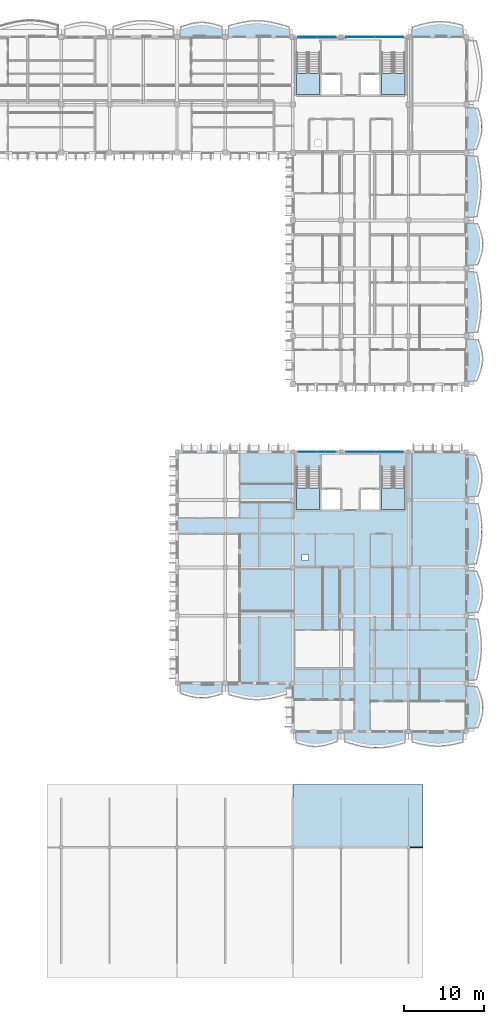
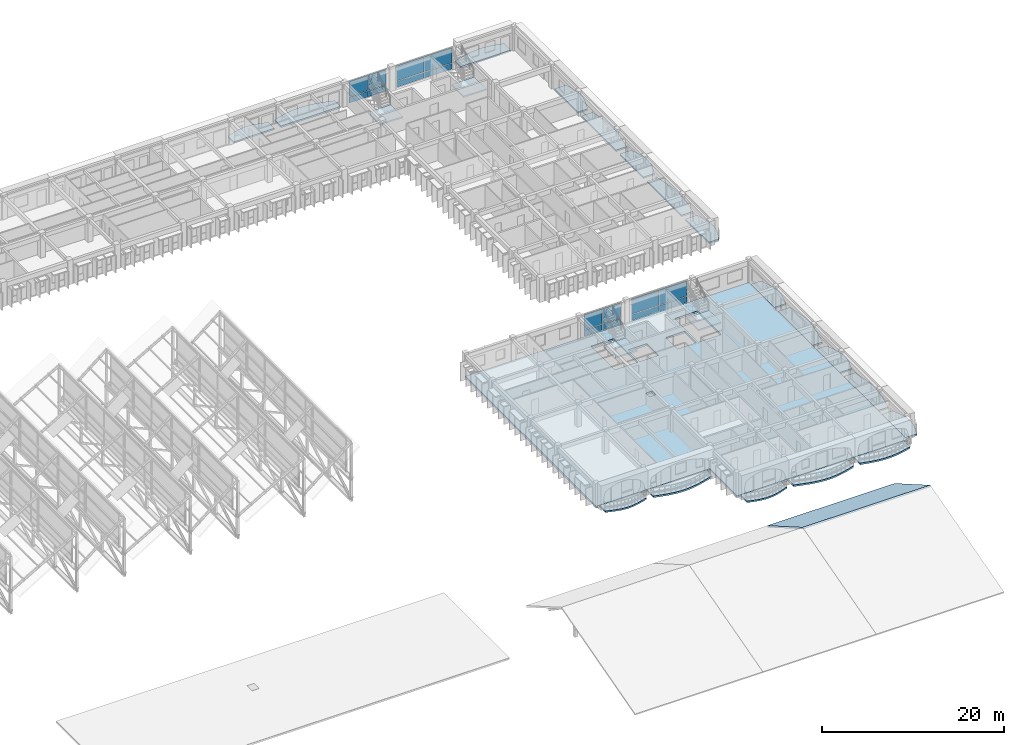
# One storey, part 35 of 101: 24 slabs, 16 plates, 8 elements without a shape of their own.
"""IFC4 building model written with IfcOpenShell, lengths in metres."""

from ifc_helpers import new_model, si_unit, direction, frame, origin, origin_2d, place, context, subcontext, project, spatial, polyline, rectangle, outline, extrude, material, layer, layer_set, type_object, element, aggregate, save


model = new_model("IFC4")

# Units and contexts
model_context = context("Model", 3, precision=1e-05, world=origin(), true_north=direction((0.0, 1.0)))
body_context = subcontext(model_context, "Body", "Model", "MODEL_VIEW")
ifc_project = project(units=[si_unit("LENGTHUNIT", "METRE"), si_unit("AREAUNIT", "SQUARE_METRE"), si_unit("VOLUMEUNIT", "CUBIC_METRE"), si_unit("PLANEANGLEUNIT", "RADIAN"), si_unit("MASSUNIT", "GRAM", prefix="KILO"), si_unit("THERMODYNAMICTEMPERATUREUNIT", "KELVIN")], contexts=[model_context])

# Site, building, storey
site_placement = place(None, origin())
site = spatial("IfcSite", under=ifc_project, at=site_placement, CompositionType="ELEMENT")
building_placement = place(site_placement, origin())
building = spatial("IfcBuilding", under=site, at=building_placement, Name="Thalorik Housing Commons", CompositionType="ELEMENT")
storey_placement = place(building_placement, frame((0.0, 0.0, 8.10009765625)))
storey = spatial("IfcBuildingStorey", under=building, at=storey_placement, Name="L02", CompositionType="ELEMENT", Elevation=8.10009765625)

# Curtain wall, plates
ifc_material_1 = material(Name="Anodised aluminium and solar-control low-E glass", Category="aluminium")
curtain_wall_type = type_object("IfcCurtainWallType", Name="ARC-CW-CORE", PredefinedType="USERDEFINED", material=ifc_material_1)
curtain_wall_1_placement = place(storey_placement, origin())
curtain_wall_1 = element("IfcCurtainWall", 1, at=curtain_wall_1_placement, inside=storey, type_object=curtain_wall_type, Name="L02 Curtain Wall CW-CORE-L02-B-079", ObjectType="CURTAIN WALL", PredefinedType="USERDEFINED")
ifc_material_2 = material(Name="Cobalt blue enamelled aluminium spandrel panel", Category="aluminium")
ifc_layer_1 = layer(ifc_material_2, 0.0458984375, Name="Cobalt blue enamelled aluminium spandrel panel", Category="aluminium")
ifc_layer_set_1 = layer_set([ifc_layer_1], Name="Cobalt blue enamelled aluminium spandrel panel")
plate_type_1 = type_object("IfcPlateType", Name="ARC-CP-BLU-46", PredefinedType="CURTAIN_PANEL", material=ifc_layer_set_1)
plate_1_placement = place(storey_placement, frame((164.375, 123.60009765625, 0.080078125), z_axis=(0.0, 0.0, 1.0), x_axis=(-1.0, 0.0, 0.0)))
plate_1 = element("IfcPlate", 2, at=plate_1_placement, type_object=plate_type_1, Name="CW-CORE-L02-B-079 Spandrel Panel 1", PredefinedType="CURTAIN_PANEL", context=body_context, shape_type="SweptSolid", body=[
    extrude(rectangle(XDim=3.489990234375, YDim=0.0458984375, at=origin_2d()), origin(), (0.0, 0.0, 1.0), 0.760009765625),
])
plate_2_placement = place(storey_placement, frame((160.824951171875, 123.60009765625, 0.080078125), z_axis=(0.0, 0.0, 1.0), x_axis=(-1.0, 0.0, 0.0)))
plate_2 = element("IfcPlate", 3, at=plate_2_placement, type_object=plate_type_1, Name="CW-CORE-L02-B-079 Spandrel Panel 2", PredefinedType="CURTAIN_PANEL", context=body_context, shape_type="SweptSolid", body=[
    extrude(rectangle(XDim=3.489990234375, YDim=0.0458984375, at=origin_2d()), origin(), (0.0, 0.0, 1.0), 0.760009765625),
])
ifc_material_3 = material(Name="Double solar-control low-E glass", Category="glass")
ifc_layer_2 = layer(ifc_material_3, 0.028076171875, Name="Double solar-control low-E glass", Category="glass")
ifc_layer_set_2 = layer_set([ifc_layer_2], Name="Double solar-control low-E glass")
plate_type_2 = type_object("IfcPlateType", Name="ARC-CP-GLZ-28", PredefinedType="CURTAIN_PANEL", material=ifc_layer_set_2)
plate_3_placement = place(storey_placement, frame((164.375, 123.60009765625, 0.919921875), z_axis=(0.0, 0.0, 1.0), x_axis=(-1.0, 0.0, 0.0)))
plate_3 = element("IfcPlate", 4, at=plate_3_placement, type_object=plate_type_2, Name="CW-CORE-L02-B-079 Vision Panel 1", PredefinedType="CURTAIN_PANEL", context=body_context, shape_type="SweptSolid", body=[
    extrude(rectangle(XDim=3.489990234375, YDim=0.028076171875, at=origin_2d()), origin(), (0.0, 0.0, 1.0), 2.0400390625),
])
plate_4_placement = place(storey_placement, frame((160.824951171875, 123.60009765625, 0.919921875), z_axis=(0.0, 0.0, 1.0), x_axis=(-1.0, 0.0, 0.0)))
plate_4 = element("IfcPlate", 5, at=plate_4_placement, type_object=plate_type_2, Name="CW-CORE-L02-B-079 Vision Panel 2", PredefinedType="CURTAIN_PANEL", context=body_context, shape_type="SweptSolid", body=[
    extrude(rectangle(XDim=3.489990234375, YDim=0.028076171875, at=origin_2d()), origin(), (0.0, 0.0, 1.0), 2.0400390625),
])
aggregate(curtain_wall_1, [plate_1, plate_3, plate_2, plate_4])

curtain_wall_2_placement = place(storey_placement, origin())
curtain_wall_2 = element("IfcCurtainWall", 6, at=curtain_wall_2_placement, inside=storey, type_object=curtain_wall_type, Name="L02 Curtain Wall CW-CORE-L02-B-080", ObjectType="CURTAIN WALL", PredefinedType="USERDEFINED")
plate_5_placement = place(storey_placement, frame((156.574951171875, 123.60009765625, 0.919921875), z_axis=(0.0, 0.0, 1.0), x_axis=(-1.0, 0.0, 0.0)))
plate_5 = element("IfcPlate", 7, at=plate_5_placement, type_object=plate_type_2, Name="CW-CORE-L02-B-080 Vision Panel 1", PredefinedType="CURTAIN_PANEL", context=body_context, shape_type="SweptSolid", body=[
    extrude(rectangle(XDim=2.2900390625, YDim=0.028076171875, at=origin_2d()), origin(), (0.0, 0.0, 1.0), 2.0400390625),
])
plate_6_placement = place(storey_placement, frame((154.22509765625, 123.60009765625, 0.919921875), z_axis=(0.0, 0.0, 1.0), x_axis=(-1.0, 0.0, 0.0)))
plate_6 = element("IfcPlate", 8, at=plate_6_placement, type_object=plate_type_2, Name="CW-CORE-L02-B-080 Vision Panel 2", PredefinedType="CURTAIN_PANEL", context=body_context, shape_type="SweptSolid", body=[
    extrude(rectangle(XDim=2.2900390625, YDim=0.028076171875, at=origin_2d()), origin(), (0.0, 0.0, 1.0), 2.0400390625),
])

curtain_wall_3_placement = place(storey_placement, origin())
curtain_wall_3 = element("IfcCurtainWall", 9, at=curtain_wall_3_placement, inside=storey, type_object=curtain_wall_type, Name="L02 Curtain Wall CW-CORE-L02-D-180", ObjectType="CURTAIN WALL", PredefinedType="USERDEFINED")
plate_7_placement = place(storey_placement, frame((164.375, 72.0, 0.919921875), z_axis=(0.0, 0.0, 1.0), x_axis=(-1.0, 0.0, 0.0)))
plate_7 = element("IfcPlate", 10, at=plate_7_placement, type_object=plate_type_2, Name="CW-CORE-L02-D-180 Vision Panel 1", PredefinedType="CURTAIN_PANEL", context=body_context, shape_type="SweptSolid", body=[
    extrude(rectangle(XDim=3.489990234375, YDim=0.028076171875, at=origin_2d()), origin(), (0.0, 0.0, 1.0), 2.0400390625),
])
plate_8_placement = place(storey_placement, frame((160.824951171875, 72.0, 0.919921875), z_axis=(0.0, 0.0, 1.0), x_axis=(-1.0, 0.0, 0.0)))
plate_8 = element("IfcPlate", 11, at=plate_8_placement, type_object=plate_type_2, Name="CW-CORE-L02-D-180 Vision Panel 2", PredefinedType="CURTAIN_PANEL", context=body_context, shape_type="SweptSolid", body=[
    extrude(rectangle(XDim=3.489990234375, YDim=0.028076171875, at=origin_2d()), origin(), (0.0, 0.0, 1.0), 2.0400390625),
])

curtain_wall_4_placement = place(storey_placement, origin())
curtain_wall_4 = element("IfcCurtainWall", 12, at=curtain_wall_4_placement, inside=storey, type_object=curtain_wall_type, Name="L02 Curtain Wall CW-CORE-L02-D-181", ObjectType="CURTAIN WALL", PredefinedType="USERDEFINED")
plate_9_placement = place(storey_placement, frame((156.574951171875, 72.0, 0.919921875), z_axis=(0.0, 0.0, 1.0), x_axis=(-1.0, 0.0, 0.0)))
plate_9 = element("IfcPlate", 13, at=plate_9_placement, type_object=plate_type_2, Name="CW-CORE-L02-D-181 Vision Panel 1", PredefinedType="CURTAIN_PANEL", context=body_context, shape_type="SweptSolid", body=[
    extrude(rectangle(XDim=2.2900390625, YDim=0.028076171875, at=origin_2d()), origin(), (0.0, 0.0, 1.0), 2.0400390625),
])
plate_10_placement = place(storey_placement, frame((154.22509765625, 72.0, 0.919921875), z_axis=(0.0, 0.0, 1.0), x_axis=(-1.0, 0.0, 0.0)))
plate_10 = element("IfcPlate", 14, at=plate_10_placement, type_object=plate_type_2, Name="CW-CORE-L02-D-181 Vision Panel 2", PredefinedType="CURTAIN_PANEL", context=body_context, shape_type="SweptSolid", body=[
    extrude(rectangle(XDim=2.2900390625, YDim=0.028076171875, at=origin_2d()), origin(), (0.0, 0.0, 1.0), 2.0400390625),
])
ifc_material_4 = material(Name="Oxide red enamelled aluminium spandrel panel", Category="aluminium")
ifc_layer_3 = layer(ifc_material_4, 0.0419921875, Name="Oxide red enamelled aluminium spandrel panel", Category="aluminium")
ifc_layer_set_3 = layer_set([ifc_layer_3], Name="Oxide red enamelled aluminium spandrel panel")
plate_type_3 = type_object("IfcPlateType", Name="ARC-CP-RED-42", PredefinedType="CURTAIN_PANEL", material=ifc_layer_set_3)
plate_11_placement = place(storey_placement, frame((156.574951171875, 72.0, 0.080078125), z_axis=(0.0, 0.0, 1.0), x_axis=(-1.0, 0.0, 0.0)))
plate_11 = element("IfcPlate", 15, at=plate_11_placement, type_object=plate_type_3, Name="CW-CORE-L02-D-181 Spandrel Panel 1", PredefinedType="CURTAIN_PANEL", context=body_context, shape_type="SweptSolid", body=[
    extrude(rectangle(XDim=2.2900390625, YDim=0.0419921875, at=origin_2d()), origin(), (0.0, 0.0, 1.0), 0.760009765625),
])
plate_12_placement = place(storey_placement, frame((154.22509765625, 72.0, 0.080078125), z_axis=(0.0, 0.0, 1.0), x_axis=(-1.0, 0.0, 0.0)))
plate_12 = element("IfcPlate", 16, at=plate_12_placement, type_object=plate_type_3, Name="CW-CORE-L02-D-181 Spandrel Panel 2", PredefinedType="CURTAIN_PANEL", context=body_context, shape_type="SweptSolid", body=[
    extrude(rectangle(XDim=2.2900390625, YDim=0.0419921875, at=origin_2d()), origin(), (0.0, 0.0, 1.0), 0.760009765625),
])
aggregate(curtain_wall_4, [plate_11, plate_9, plate_12, plate_10])

# Plate
ifc_material_5 = material(Name="Mineral ochre yellow aluminium spandrel panel", Category="aluminium")
ifc_layer_4 = layer(ifc_material_5, 0.050048828125, Name="Mineral ochre yellow aluminium spandrel panel", Category="aluminium")
ifc_layer_set_4 = layer_set([ifc_layer_4], Name="Mineral ochre yellow aluminium spandrel panel")
plate_type_4 = type_object("IfcPlateType", Name="ARC-CP-YEL-50", PredefinedType="CURTAIN_PANEL", material=ifc_layer_set_4)
plate_13_placement = place(storey_placement, frame((156.574951171875, 123.60009765625, 0.080078125), z_axis=(0.0, 0.0, 1.0), x_axis=(-1.0, 0.0, 0.0)))
plate_13 = element("IfcPlate", 17, at=plate_13_placement, type_object=plate_type_4, Name="CW-CORE-L02-B-080 Spandrel Panel 1", PredefinedType="CURTAIN_PANEL", context=body_context, shape_type="SweptSolid", body=[
    extrude(rectangle(XDim=2.2900390625, YDim=0.050048828125, at=origin_2d()), origin(), (0.0, 0.0, 1.0), 0.760009765625),
])

plate_14_placement = place(storey_placement, frame((154.22509765625, 123.60009765625, 0.080078125), z_axis=(0.0, 0.0, 1.0), x_axis=(-1.0, 0.0, 0.0)))
plate_14 = element("IfcPlate", 18, at=plate_14_placement, type_object=plate_type_4, Name="CW-CORE-L02-B-080 Spandrel Panel 2", PredefinedType="CURTAIN_PANEL", context=body_context, shape_type="SweptSolid", body=[
    extrude(rectangle(XDim=2.2900390625, YDim=0.050048828125, at=origin_2d()), origin(), (0.0, 0.0, 1.0), 0.760009765625),
])

aggregate(curtain_wall_2, [plate_13, plate_5, plate_14, plate_6])

plate_15_placement = place(storey_placement, frame((164.375, 72.0, 0.080078125), z_axis=(0.0, 0.0, 1.0), x_axis=(-1.0, 0.0, 0.0)))
plate_15 = element("IfcPlate", 19, at=plate_15_placement, type_object=plate_type_4, Name="CW-CORE-L02-D-180 Spandrel Panel 1", PredefinedType="CURTAIN_PANEL", context=body_context, shape_type="SweptSolid", body=[
    extrude(rectangle(XDim=3.489990234375, YDim=0.050048828125, at=origin_2d()), origin(), (0.0, 0.0, 1.0), 0.760009765625),
])

plate_16_placement = place(storey_placement, frame((160.824951171875, 72.0, 0.080078125), z_axis=(0.0, 0.0, 1.0), x_axis=(-1.0, 0.0, 0.0)))
plate_16 = element("IfcPlate", 20, at=plate_16_placement, type_object=plate_type_4, Name="CW-CORE-L02-D-180 Spandrel Panel 2", PredefinedType="CURTAIN_PANEL", context=body_context, shape_type="SweptSolid", body=[
    extrude(rectangle(XDim=3.489990234375, YDim=0.050048828125, at=origin_2d()), origin(), (0.0, 0.0, 1.0), 0.760009765625),
])

aggregate(curtain_wall_3, [plate_15, plate_7, plate_16, plate_8])

# Stair, slab
ifc_material_6 = material(Name="Precast concrete C40/50", Category="concrete")
stair_type = type_object("IfcStairType", Name="ARC-STR-1350-R20", PredefinedType="HALF_TURN_STAIR", material=ifc_material_6)
stair_1_placement = place(storey_placement, origin())
stair_1 = element("IfcStair", 21, at=stair_1_placement, inside=storey, type_object=stair_type, Name="L02 Block B Smoke-Proof Stair 1", PredefinedType="HALF_TURN_STAIR")
ifc_layer_5 = layer(ifc_material_6, 0.199951171875, Name="Precast concrete C40/50", Category="concrete")
ifc_layer_set_5 = layer_set([ifc_layer_5], Name="Precast concrete C40/50")
slab_type_1 = type_object("IfcSlabType", Name="ARC-SLB-STLND-200", PredefinedType="LANDING", material=ifc_layer_set_5)
slab_1_placement = place(storey_placement, frame((0.0, 0.0, 1.449951171875)))
slab_1 = element("IfcSlab", 22, at=slab_1_placement, type_object=slab_type_1, Name="ST-B1 landing 1", PredefinedType="LANDING", context=body_context, shape_type="SweptSolid", body=[
    extrude(outline(polyline([(152.85009765625, 119.090087890625), (152.85009765625, 116.449951171875), (155.75, 116.449951171875), (155.75, 119.090087890625), (152.85009765625, 119.090087890625)])), origin(), (0.0, 0.0, 1.0), 0.199951171875),
])
aggregate(stair_1, [slab_1])

stair_2_placement = place(storey_placement, origin())
stair_2 = element("IfcStair", 23, at=stair_2_placement, inside=storey, type_object=stair_type, Name="L02 Block B Smoke-Proof Stair 2", PredefinedType="HALF_TURN_STAIR")
slab_2_placement = place(storey_placement, frame((0.0, 0.0, 1.449951171875)))
slab_2 = element("IfcSlab", 24, at=slab_2_placement, type_object=slab_type_1, Name="ST-B2 landing 1", PredefinedType="LANDING", context=body_context, shape_type="SweptSolid", body=[
    extrude(outline(polyline([(163.449951171875, 119.090087890625), (163.449951171875, 116.449951171875), (166.35009765625, 116.449951171875), (166.35009765625, 119.090087890625), (163.449951171875, 119.090087890625)])), origin(), (0.0, 0.0, 1.0), 0.199951171875),
])
aggregate(stair_2, [slab_2])

stair_3_placement = place(storey_placement, origin())
stair_3 = element("IfcStair", 25, at=stair_3_placement, inside=storey, type_object=stair_type, Name="L02 Block D Smoke-Proof Stair 1", PredefinedType="HALF_TURN_STAIR")
slab_3_placement = place(storey_placement, frame((0.0, 0.0, 1.449951171875)))
slab_3 = element("IfcSlab", 26, at=slab_3_placement, type_object=slab_type_1, Name="ST-D1 landing 1", PredefinedType="LANDING", context=body_context, shape_type="SweptSolid", body=[
    extrude(outline(polyline([(152.85009765625, 67.489990234375), (152.85009765625, 64.85009765625), (155.75, 64.85009765625), (155.75, 67.489990234375), (152.85009765625, 67.489990234375)])), origin(), (0.0, 0.0, 1.0), 0.199951171875),
])
aggregate(stair_3, [slab_3])

stair_4_placement = place(storey_placement, origin())
stair_4 = element("IfcStair", 27, at=stair_4_placement, inside=storey, type_object=stair_type, Name="L02 Block D Smoke-Proof Stair 2", PredefinedType="HALF_TURN_STAIR")
slab_4_placement = place(storey_placement, frame((0.0, 0.0, 1.449951171875)))
slab_4 = element("IfcSlab", 28, at=slab_4_placement, type_object=slab_type_1, Name="ST-D2 landing 1", PredefinedType="LANDING", context=body_context, shape_type="SweptSolid", body=[
    extrude(outline(polyline([(163.449951171875, 67.489990234375), (163.449951171875, 64.85009765625), (166.35009765625, 64.85009765625), (166.35009765625, 67.489990234375), (163.449951171875, 67.489990234375)])), origin(), (0.0, 0.0, 1.0), 0.199951171875),
])
aggregate(stair_4, [slab_4])

# Slabs
ifc_layer_6 = layer(ifc_material_6, 0.199951171875, Name="Precast concrete C40/50", Category="concrete")
ifc_layer_set_6 = layer_set([ifc_layer_6], Name="Precast concrete C40/50")
slab_type_2 = type_object("IfcSlabType", Name="STR-SLB-BALC-200", PredefinedType="FLOOR", material=ifc_layer_set_6)
slab_5_placement = place(storey_placement, frame((0.0, 0.0, -0.2001953125)))
element("IfcSlab", 29, at=slab_5_placement, inside=storey, type_object=slab_type_2, Name="L02 Block B Cushion Balcony 109", PredefinedType="FLOOR", context=body_context, shape_type="SweptSolid", body=[
    extrude(outline(polyline([(138.419921875, 123.60009765625), (143.580078125, 123.60009765625), (143.580078125, 124.947265625), (143.14990234375, 125.084228515625), (142.719970703125, 125.2119140625), (142.2900390625, 125.321044921875), (141.860107421875, 125.4033203125), (141.429931640625, 125.452880859375), (141.0, 125.466064453125), (140.570068359375, 125.44140625), (140.139892578125, 125.380859375), (139.7099609375, 125.2880859375), (139.280029296875, 125.169921875), (138.85009765625, 125.03466796875), (138.419921875, 124.8916015625), (138.419921875, 123.60009765625)])), origin(), (0.0, 0.0, 1.0), 0.2001953125),
])
slab_6_placement = place(storey_placement, frame((0.0, 0.0, -0.2001953125)))
element("IfcSlab", 30, at=slab_6_placement, inside=storey, type_object=slab_type_2, Name="L02 Block B Cushion Balcony 112", PredefinedType="FLOOR", context=body_context, shape_type="SweptSolid", body=[
    extrude(outline(polyline([(175.255859375, 109.6201171875), (175.423095703125, 110.050048828125), (175.583251953125, 110.47998046875), (175.7255859375, 110.909912109375), (175.84130859375, 111.340087890625), (175.9228515625, 111.77001953125), (175.965576171875, 112.199951171875), (175.966796875, 112.6298828125), (175.927734375, 113.06005859375), (175.8515625, 113.489990234375), (175.744140625, 113.919921875), (175.61328125, 114.35009765625), (175.46875, 114.780029296875), (174.0, 114.780029296875), (174.0, 109.6201171875), (175.255859375, 109.6201171875)])), origin(), (0.0, 0.0, 1.0), 0.2001953125),
])
slab_7_placement = place(storey_placement, frame((0.0, 0.0, -0.2001953125)))
element("IfcSlab", 31, at=slab_7_placement, inside=storey, type_object=slab_type_2, Name="L02 Block B Cushion Balcony 114", PredefinedType="FLOOR", context=body_context, shape_type="SweptSolid", body=[
    extrude(outline(polyline([(175.31494140625, 80.820068359375), (175.494140625, 81.25), (175.66357421875, 81.679931640625), (175.8125, 82.110107421875), (175.931884765625, 82.5400390625), (176.013671875, 82.969970703125), (176.053466796875, 83.39990234375), (176.048828125, 83.830078125), (176.0009765625, 84.260009765625), (175.913330078125, 84.68994140625), (175.79248046875, 85.1201171875), (175.646484375, 85.550048828125), (175.4853515625, 85.97998046875), (174.0, 85.97998046875), (174.0, 80.820068359375), (175.31494140625, 80.820068359375)])), origin(), (0.0, 0.0, 1.0), 0.2001953125),
])
slab_8_placement = place(storey_placement, frame((0.0, 0.0, -0.2001953125)))
element("IfcSlab", 32, at=slab_8_placement, inside=storey, type_object=slab_type_2, Name="L02 Block B Cushion Balcony 116", PredefinedType="FLOOR", context=body_context, shape_type="SweptSolid", body=[
    extrude(outline(polyline([(175.40576171875, 95.219970703125), (175.584716796875, 95.64990234375), (175.750732421875, 96.080078125), (175.893310546875, 96.510009765625), (176.003173828125, 96.93994140625), (176.0732421875, 97.3701171875), (176.09912109375, 97.800048828125), (176.0791015625, 98.22998046875), (176.014404296875, 98.659912109375), (175.909912109375, 99.090087890625), (175.77197265625, 99.52001953125), (175.609619140625, 99.949951171875), (175.433837890625, 100.3798828125), (174.0, 100.3798828125), (174.0, 95.219970703125), (175.40576171875, 95.219970703125)])), origin(), (0.0, 0.0, 1.0), 0.2001953125),
])
slab_9_placement = place(storey_placement, frame((0.0, 0.0, -0.2001953125)))
element("IfcSlab", 33, at=slab_9_placement, inside=storey, type_object=slab_type_2, Name="L02 Block D Cushion Balcony 329", PredefinedType="FLOOR", context=body_context, shape_type="SweptSolid", body=[
    extrude(outline(polyline([(175.4462890625, 37.6201171875), (175.6201171875, 38.050048828125), (175.780029296875, 38.47998046875), (175.915283203125, 38.909912109375), (176.01708984375, 39.340087890625), (176.078857421875, 39.77001953125), (176.095947265625, 40.199951171875), (176.0673828125, 40.6298828125), (175.99462890625, 41.06005859375), (175.882568359375, 41.489990234375), (175.738037109375, 41.919921875), (175.570556640625, 42.35009765625), (175.390625, 42.780029296875), (174.0, 42.780029296875), (174.0, 37.6201171875), (175.4462890625, 37.6201171875)])), origin(), (0.0, 0.0, 1.0), 0.2001953125),
])
slab_10_placement = place(storey_placement, frame((0.0, 0.0, -0.2001953125)))
element("IfcSlab", 34, at=slab_10_placement, inside=storey, type_object=slab_type_2, Name="L02 Block D Cushion Balcony 331", PredefinedType="FLOOR", context=body_context, shape_type="SweptSolid", body=[
    extrude(outline(polyline([(175.487548828125, 52.02001953125), (175.645751953125, 52.449951171875), (175.788818359375, 52.8798828125), (175.906982421875, 53.31005859375), (175.9921875, 53.739990234375), (176.037841796875, 54.169921875), (176.04052734375, 54.60009765625), (175.99951171875, 55.030029296875), (175.91650390625, 55.4599609375), (175.797119140625, 55.889892578125), (175.648193359375, 56.320068359375), (175.4794921875, 56.75), (175.301513671875, 57.179931640625), (174.0, 57.179931640625), (174.0, 52.02001953125), (175.487548828125, 52.02001953125)])), origin(), (0.0, 0.0, 1.0), 0.2001953125),
])
slab_11_placement = place(storey_placement, frame((0.0, 0.0, -0.2001953125)))
element("IfcSlab", 35, at=slab_11_placement, inside=storey, type_object=slab_type_2, Name="L02 Block D Cushion Balcony 333", PredefinedType="FLOOR", context=body_context, shape_type="SweptSolid", body=[
    extrude(outline(polyline([(175.45947265625, 66.419921875), (175.601806640625, 66.85009765625), (175.73095703125, 67.280029296875), (175.8369140625, 67.7099609375), (175.91259765625, 68.139892578125), (175.951416015625, 68.570068359375), (175.9501953125, 69.0), (175.908447265625, 69.429931640625), (175.828125, 69.860107421875), (175.71435546875, 70.2900390625), (175.57421875, 70.719970703125), (175.41650390625, 71.14990234375), (175.251953125, 71.580078125), (174.0, 71.580078125), (174.0, 66.419921875), (175.45947265625, 66.419921875)])), origin(), (0.0, 0.0, 1.0), 0.2001953125),
])
slab_12_placement = place(storey_placement, frame((0.0, 0.0, -0.2001953125)))
element("IfcSlab", 36, at=slab_12_placement, inside=storey, type_object=slab_type_2, Name="L02 Block D Cushion Balcony 334", PredefinedType="FLOOR", context=body_context, shape_type="SweptSolid", body=[
    extrude(outline(polyline([(152.820068359375, 35.777099609375), (153.25, 35.639404296875), (153.679931640625, 35.513671875), (154.110107421875, 35.4091796875), (154.5400390625, 35.333740234375), (154.969970703125, 35.29345703125), (155.39990234375, 35.29150390625), (155.830078125, 35.32861328125), (156.260009765625, 35.403076171875), (156.68994140625, 35.510009765625), (157.1201171875, 35.642333984375), (157.550048828125, 35.79150390625), (157.97998046875, 35.947509765625), (157.97998046875, 37.199951171875), (152.820068359375, 37.199951171875), (152.820068359375, 35.777099609375)])), origin(), (0.0, 0.0, 1.0), 0.2001953125),
])
slab_13_placement = place(storey_placement, frame((0.0, 0.0, -0.2001953125)))
element("IfcSlab", 37, at=slab_13_placement, inside=storey, type_object=slab_type_2, Name="L02 Block D Cushion Balcony 337", PredefinedType="FLOOR", context=body_context, shape_type="SweptSolid", body=[
    extrude(outline(polyline([(138.419921875, 41.908203125), (138.85009765625, 41.765380859375), (139.280029296875, 41.630126953125), (139.7099609375, 41.511962890625), (140.139892578125, 41.419189453125), (140.570068359375, 41.3583984375), (141.0, 41.333984375), (141.429931640625, 41.346923828125), (141.860107421875, 41.396728515625), (142.2900390625, 41.47900390625), (142.719970703125, 41.588134765625), (143.14990234375, 41.7158203125), (143.580078125, 41.852783203125), (143.580078125, 43.199951171875), (138.419921875, 43.199951171875), (138.419921875, 41.908203125)])), origin(), (0.0, 0.0, 1.0), 0.2001953125),
])
ifc_layer_7 = layer(ifc_material_6, 0.219970703125, Name="Precast concrete C40/50", Category="concrete")
ifc_layer_set_7 = layer_set([ifc_layer_7], Name="Precast concrete C40/50")
slab_type_3 = type_object("IfcSlabType", Name="STR-SLB-BALC-220", PredefinedType="FLOOR", material=ifc_layer_set_7)
slab_14_placement = place(storey_placement, frame((0.0, 0.0, -0.22021484375)))
element("IfcSlab", 38, at=slab_14_placement, inside=storey, type_object=slab_type_3, Name="L02 Block B Cushion Balcony 110", PredefinedType="FLOOR", context=body_context, shape_type="SweptSolid", body=[
    extrude(outline(polyline([(144.419921875, 123.60009765625), (151.97998046875, 123.60009765625), (151.97998046875, 124.889404296875), (151.35009765625, 125.07470703125), (150.719970703125, 125.25341796875), (150.090087890625, 125.41259765625), (149.4599609375, 125.541748046875), (148.830078125, 125.63134765625), (148.199951171875, 125.67529296875), (147.570068359375, 125.670654296875), (146.93994140625, 125.617431640625), (146.31005859375, 125.51904296875), (145.679931640625, 125.38232421875), (145.050048828125, 125.216796875), (144.419921875, 125.03369140625), (144.419921875, 123.60009765625)])), origin(), (0.0, 0.0, 1.0), 0.22021484375),
])
slab_15_placement = place(storey_placement, frame((0.0, 0.0, -0.22021484375)))
element("IfcSlab", 39, at=slab_15_placement, inside=storey, type_object=slab_type_3, Name="L02 Block B Cushion Balcony 111", PredefinedType="FLOOR", context=body_context, shape_type="SweptSolid", body=[
    extrude(outline(polyline([(167.219970703125, 123.60009765625), (173.580078125, 123.60009765625), (173.580078125, 125.076416015625), (173.050048828125, 125.22021484375), (172.52001953125, 125.348388671875), (171.989990234375, 125.45166015625), (171.4599609375, 125.522705078125), (170.929931640625, 125.556396484375), (170.39990234375, 125.55029296875), (169.8701171875, 125.50390625), (169.340087890625, 125.420166015625), (168.81005859375, 125.3046875), (168.280029296875, 125.164794921875), (167.75, 125.009765625), (167.219970703125, 124.850341796875), (167.219970703125, 123.60009765625)])), origin(), (0.0, 0.0, 1.0), 0.22021484375),
])
slab_16_placement = place(storey_placement, frame((0.0, 0.0, -0.22021484375)))
element("IfcSlab", 40, at=slab_16_placement, inside=storey, type_object=slab_type_3, Name="L02 Block B Cushion Balcony 115", PredefinedType="FLOOR", context=body_context, shape_type="SweptSolid", body=[
    extrude(outline(polyline([(175.436279296875, 86.820068359375), (175.565673828125, 87.449951171875), (175.68115234375, 88.080078125), (175.775390625, 88.7099609375), (175.84228515625, 89.340087890625), (175.877197265625, 89.969970703125), (175.8779296875, 90.60009765625), (175.8447265625, 91.22998046875), (175.780029296875, 91.860107421875), (175.68798828125, 92.489990234375), (175.5751953125, 93.1201171875), (175.448974609375, 93.75), (175.31787109375, 94.3798828125), (174.0, 94.3798828125), (174.0, 86.820068359375), (175.436279296875, 86.820068359375)])), origin(), (0.0, 0.0, 1.0), 0.22021484375),
])
slab_17_placement = place(storey_placement, frame((0.0, 0.0, -0.22021484375)))
element("IfcSlab", 41, at=slab_17_placement, inside=storey, type_object=slab_type_3, Name="L02 Block B Cushion Balcony 117", PredefinedType="FLOOR", context=body_context, shape_type="SweptSolid", body=[
    extrude(outline(polyline([(175.347412109375, 101.219970703125), (175.474853515625, 101.85009765625), (175.595458984375, 102.47998046875), (175.701171875, 103.110107421875), (175.784912109375, 103.739990234375), (175.84130859375, 104.3701171875), (175.8662109375, 105.0), (175.85791015625, 105.6298828125), (175.817138671875, 106.260009765625), (175.746337890625, 106.889892578125), (175.650390625, 107.52001953125), (175.53515625, 108.14990234375), (175.40869140625, 108.780029296875), (174.0, 108.780029296875), (174.0, 101.219970703125), (175.347412109375, 101.219970703125)])), origin(), (0.0, 0.0, 1.0), 0.22021484375),
])
slab_18_placement = place(storey_placement, frame((0.0, 0.0, -0.22021484375)))
element("IfcSlab", 42, at=slab_18_placement, inside=storey, type_object=slab_type_3, Name="L02 Block D Cushion Balcony 330", PredefinedType="FLOOR", context=body_context, shape_type="SweptSolid", body=[
    extrude(outline(polyline([(175.30419921875, 43.6201171875), (175.43798828125, 44.25), (175.567626953125, 44.8798828125), (175.6845703125, 45.510009765625), (175.78076171875, 46.139892578125), (175.849609375, 46.77001953125), (175.88671875, 47.39990234375), (175.888916015625, 48.030029296875), (175.8564453125, 48.659912109375), (175.791015625, 49.2900390625), (175.69677734375, 49.919921875), (175.580078125, 50.550048828125), (175.448486328125, 51.179931640625), (174.0, 51.179931640625), (174.0, 43.6201171875), (175.30419921875, 43.6201171875)])), origin(), (0.0, 0.0, 1.0), 0.22021484375),
])
slab_19_placement = place(storey_placement, frame((0.0, 0.0, -0.22021484375)))
element("IfcSlab", 43, at=slab_19_placement, inside=storey, type_object=slab_type_3, Name="L02 Block D Cushion Balcony 332", PredefinedType="FLOOR", context=body_context, shape_type="SweptSolid", body=[
    extrude(outline(polyline([(175.252685546875, 58.02001953125), (175.40869140625, 58.64990234375), (175.562744140625, 59.280029296875), (175.70458984375, 59.909912109375), (175.82421875, 60.5400390625), (175.9130859375, 61.169921875), (175.965576171875, 61.800048828125), (175.977294921875, 62.429931640625), (175.947509765625, 63.06005859375), (175.877685546875, 63.68994140625), (175.773193359375, 64.320068359375), (175.64013671875, 64.949951171875), (175.48779296875, 65.580078125), (174.0, 65.580078125), (174.0, 58.02001953125), (175.252685546875, 58.02001953125)])), origin(), (0.0, 0.0, 1.0), 0.22021484375),
])
slab_20_placement = place(storey_placement, frame((0.0, 0.0, -0.22021484375)))
element("IfcSlab", 44, at=slab_20_placement, inside=storey, type_object=slab_type_3, Name="L02 Block D Cushion Balcony 335", PredefinedType="FLOOR", context=body_context, shape_type="SweptSolid", body=[
    extrude(outline(polyline([(158.820068359375, 35.8984375), (159.449951171875, 35.7109375), (160.080078125, 35.53125), (160.7099609375, 35.3720703125), (161.340087890625, 35.244140625), (161.969970703125, 35.15673828125), (162.60009765625, 35.115966796875), (163.22998046875, 35.12451171875), (163.860107421875, 35.181884765625), (164.489990234375, 35.28466796875), (165.1201171875, 35.42529296875), (165.75, 35.593994140625), (166.3798828125, 35.77978515625), (166.3798828125, 37.199951171875), (158.820068359375, 37.199951171875), (158.820068359375, 35.8984375)])), origin(), (0.0, 0.0, 1.0), 0.22021484375),
])
slab_21_placement = place(storey_placement, frame((0.0, 0.0, -0.22021484375)))
element("IfcSlab", 45, at=slab_21_placement, inside=storey, type_object=slab_type_3, Name="L02 Block D Cushion Balcony 336", PredefinedType="FLOOR", context=body_context, shape_type="SweptSolid", body=[
    extrude(outline(polyline([(167.219970703125, 35.867919921875), (167.75, 35.734375), (168.280029296875, 35.6083984375), (168.81005859375, 35.498779296875), (169.340087890625, 35.41357421875), (169.8701171875, 35.3583984375), (170.39990234375, 35.3369140625), (170.929931640625, 35.35107421875), (171.4599609375, 35.399658203125), (171.989990234375, 35.47900390625), (172.52001953125, 35.58349609375), (173.050048828125, 35.705810546875), (173.580078125, 35.837158203125), (173.580078125, 37.199951171875), (167.219970703125, 37.199951171875), (167.219970703125, 35.867919921875)])), origin(), (0.0, 0.0, 1.0), 0.22021484375),
])
slab_22_placement = place(storey_placement, frame((0.0, 0.0, -0.22021484375)))
element("IfcSlab", 46, at=slab_22_placement, inside=storey, type_object=slab_type_3, Name="L02 Block D Cushion Balcony 338", PredefinedType="FLOOR", context=body_context, shape_type="SweptSolid", body=[
    extrude(outline(polyline([(144.419921875, 41.76611328125), (145.050048828125, 41.5830078125), (145.679931640625, 41.41748046875), (146.31005859375, 41.281005859375), (146.93994140625, 41.1826171875), (147.570068359375, 41.12939453125), (148.199951171875, 41.12451171875), (148.830078125, 41.168701171875), (149.4599609375, 41.25830078125), (150.090087890625, 41.387451171875), (150.719970703125, 41.546630859375), (151.35009765625, 41.72509765625), (151.97998046875, 41.91064453125), (151.97998046875, 43.199951171875), (144.419921875, 43.199951171875), (144.419921875, 41.76611328125)])), origin(), (0.0, 0.0, 1.0), 0.22021484375),
])
ifc_layer_8 = layer(ifc_material_6, 0.199951171875, Name="Precast concrete C40/50", Category="concrete")
ifc_layer_set_8 = layer_set([ifc_layer_8], Name="Precast concrete C40/50")
slab_type_4 = type_object("IfcSlabType", Name="STR-SLB-FOLD-200", PredefinedType="ROOF", material=ifc_layer_set_8)
slab_23_placement = place(storey_placement, frame((168.60009765625, 30.60009765625, 0.0), z_axis=(0.0, 0.499720106428, 0.866186940118), x_axis=(-1.0, 0.0, 0.0)))
element("IfcSlab", 47, at=slab_23_placement, inside=storey, type_object=slab_type_4, Name="L02 Nursery Folded Precast North Roof Facet 3", PredefinedType="ROOF", context=body_context, shape_type="SweptSolid", body=[
    extrude(outline(polyline([(0.0, 0.0), (16.2001953125, 0.0), (16.2001953125, 9.005040906133306), (0.0, 9.005040906133306), (0.0, 0.0)])), origin(), (0.0, 0.0, -1.0), 0.199951171875),
])
ifc_material_7 = material(Name="Precast concrete C45/55", Category="concrete")
ifc_layer_9 = layer(ifc_material_7, 0.260009765625, Name="Precast concrete C45/55", Category="concrete")
ifc_layer_set_9 = layer_set([ifc_layer_9], Name="Precast concrete C45/55")
slab_type_5 = type_object("IfcSlabType", Name="STR-SLB-HC-260", PredefinedType="FLOOR", material=ifc_layer_set_9)
slab_24_placement = place(storey_placement, frame((0.0, 0.0, -0.260009765625)))
element("IfcSlab", 48, at=slab_24_placement, inside=storey, type_object=slab_type_5, Name="L02 Residential Block D Floor Slab", PredefinedType="FLOOR", context=body_context, shape_type="SweptSolid", body=[
    extrude(outline(polyline([(152.39990234375, 43.199951171875), (152.39990234375, 37.199951171875), (174.0, 37.199951171875), (174.0, 72.0), (152.39990234375, 72.0), (138.0, 72.0), (138.0, 43.199951171875), (152.39990234375, 43.199951171875)]), holes=[polyline([(152.85009765625, 70.050048828125), (155.75, 70.050048828125), (155.75, 64.85009765625), (152.85009765625, 64.85009765625), (152.85009765625, 70.050048828125)]), polyline([(166.35009765625, 70.050048828125), (166.35009765625, 64.85009765625), (163.449951171875, 64.85009765625), (163.449951171875, 70.050048828125), (166.35009765625, 70.050048828125)]), polyline([(158.39990234375, 67.39990234375), (158.39990234375, 64.85009765625), (156.0, 64.85009765625), (156.0, 67.39990234375), (158.39990234375, 67.39990234375)]), polyline([(163.199951171875, 64.85009765625), (160.800048828125, 64.85009765625), (160.800048828125, 67.39990234375), (163.199951171875, 67.39990234375), (163.199951171875, 64.85009765625)]), polyline([(153.550048828125, 58.449951171875), (153.550048828125, 59.25), (154.35009765625, 59.25), (154.35009765625, 58.449951171875), (153.550048828125, 58.449951171875)])]), origin(), (0.0, 0.0, 1.0), 0.260009765625),
])

save(model, "model.ifc")
